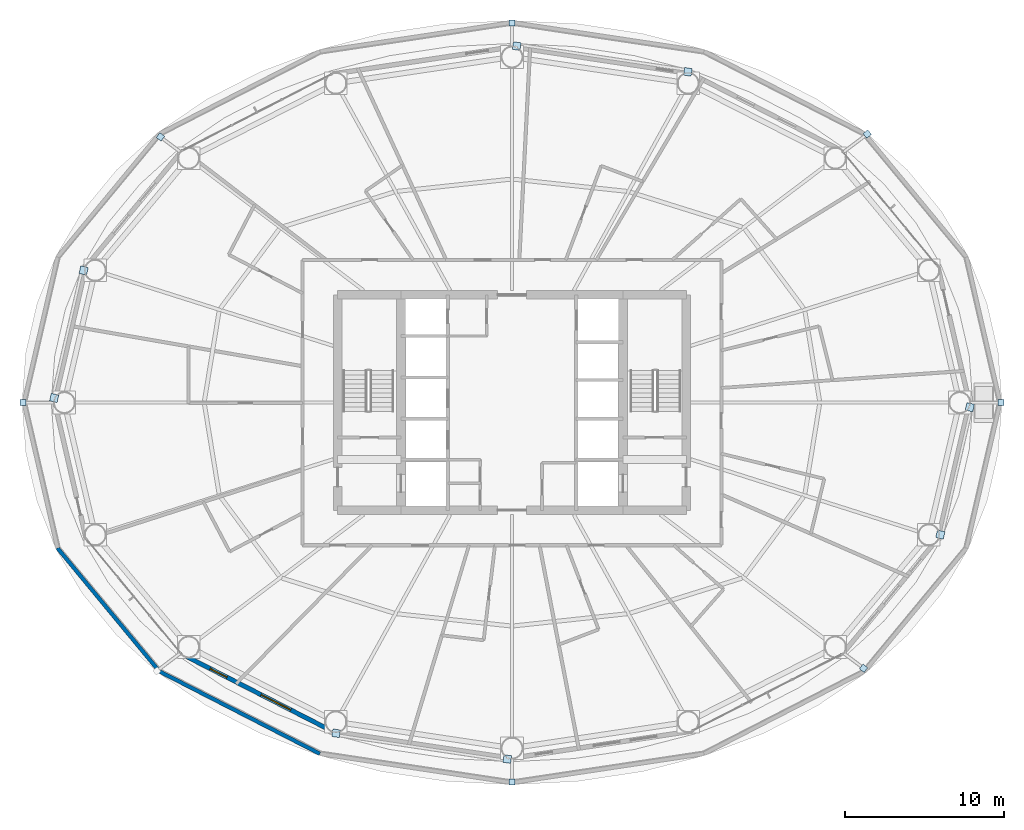
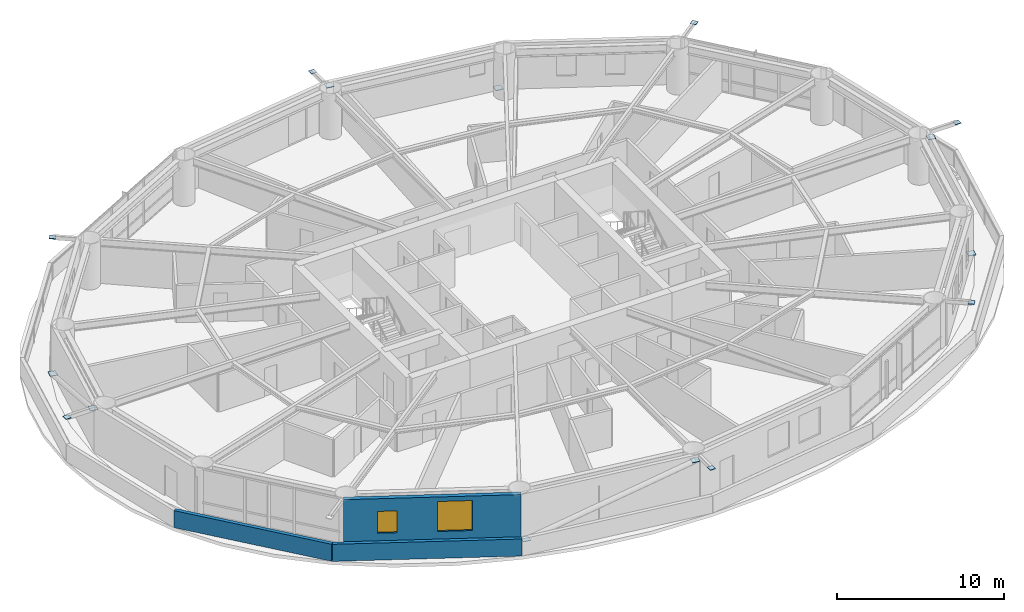
# One storey, part 18 of 25: 15 plates, 3 walls, 2 windows, 2 openings.
"""IFC4 building model written with IfcOpenShell, lengths in metres."""

from ifc_helpers import new_model, si_unit, direction, frame, frame_2d, origin, origin_2d, place, context, subcontext, project, spatial, rectangle, extrude, material, layer, layer_set, type_object, element, fill, save


model = new_model("IFC4")

# Units and contexts
model_context = context("Model", 3, precision=1e-05, world=origin(), true_north=direction((0.0, 1.0)))
body_context = subcontext(model_context, "Body", "Model", "MODEL_VIEW")
ifc_project = project(units=[si_unit("LENGTHUNIT", "METRE"), si_unit("AREAUNIT", "SQUARE_METRE"), si_unit("VOLUMEUNIT", "CUBIC_METRE"), si_unit("PLANEANGLEUNIT", "RADIAN"), si_unit("MASSUNIT", "GRAM", prefix="KILO")], contexts=[model_context])

# Site, building, storey
site_placement = place(None, origin())
site = spatial("IfcSite", under=ifc_project, at=site_placement, CompositionType="ELEMENT")
building_placement = place(site_placement, origin())
building = spatial("IfcBuilding", under=site, at=building_placement, Name="Sarneth Arch Tower", CompositionType="ELEMENT")
storey_placement = place(building_placement, frame((0.0, 0.0, 84.0)))
storey = spatial("IfcBuildingStorey", under=building, at=storey_placement, Name="L20", CompositionType="ELEMENT", Elevation=84.0)

# Plates
ifc_material_1 = material(Name="Steel S355", Category="steel")
ifc_layer_1 = layer(ifc_material_1, 0.035888671875)
ifc_layer_set_1 = layer_set([ifc_layer_1], Name="Steel S355")
plate_type = type_object("IfcPlateType", Name="PLT-GUSSET-30", PredefinedType="SHEET", material=ifc_layer_set_1)
for number, where, z_axis, x_axis, name in (
    (1, (78.8447265625, 42.0, 3.2021484375), (0.0, 0.0, 1.0), (1.0, 0.0, 0.0), "Steel end cap plate GP-1"),
    (2, (70.40869140625, 58.934814453125, 3.2021484375), (0.0, 0.0, 1.0), (0.797794439539, 0.602929541689, 0.0), "Steel end cap plate GP-1"),
):
    element("IfcPlate", number, at=place(storey_placement, frame(where, z_axis=z_axis, x_axis=x_axis)), inside=storey, type_object=plate_type, Name=name, PredefinedType="SHEET", context=body_context, shape_type="SweptSolid", body=[
        extrude(rectangle(XDim=0.3798828125, YDim=0.3798828125, at=origin_2d()), origin(), (0.0, 0.0, 1.0), 0.035888671875),
    ])
for number, where, z_axis, x_axis, name in (
    (3, (59.0927734375, 62.859619140625, 0.001953125), (0.0, 0.0, 1.0), (-0.988860535448, 0.148845024885, 0.0), "Steel end cap plate GP-1"),
    (4, (48.296630859375, 64.4853515625, 2.99560546875), (0.0, 0.0, 1.0), (-0.988860535448, 0.148845024885, 0.0), "Steel end cap plate GP-1"),
):
    element("IfcPlate", number, at=place(storey_placement, frame(where, z_axis=z_axis, x_axis=x_axis)), inside=storey, type_object=plate_type, Name=name, PredefinedType="SHEET", context=body_context, shape_type="SweptSolid", body=[
        extrude(rectangle(XDim=0.486083984375, YDim=0.486083984375, at=origin_2d()), origin(), (0.0, 0.0, 1.0), 0.035888671875),
    ])
for number, where, z_axis, x_axis, name in (
    (5, (48.0, 65.94189453125, 3.2021484375), (0.0, 0.0, 1.0), (0.0, 1.0, 0.0), "Steel end cap plate GP-1"),
    (6, (25.82373046875, 58.759033203125, 3.2021484375), (0.0, 0.0, 1.0), (-0.797794439539, 0.602929541689, 0.0), "Steel end cap plate GP-1"),
):
    element("IfcPlate", number, at=place(storey_placement, frame(where, z_axis=z_axis, x_axis=x_axis)), inside=storey, type_object=plate_type, Name=name, PredefinedType="SHEET", context=body_context, shape_type="SweptSolid", body=[
        extrude(rectangle(XDim=0.3798828125, YDim=0.3798828125, at=origin_2d()), origin(), (0.0, 0.0, 1.0), 0.035888671875),
    ])
for number, where, z_axis, x_axis, name in (
    (7, (20.98046875, 50.32958984375, 0.001953125), (0.0, 0.0, 1.0), (-0.225291159947, -0.974291482694, 0.0), "Steel end cap plate GP-1"),
    (8, (19.121337890625, 42.292236328125, 2.99560546875), (0.0, 0.0, 1.0), (-0.225291159947, -0.974291482694, 0.0), "Steel end cap plate GP-1"),
):
    element("IfcPlate", number, at=place(storey_placement, frame(where, z_axis=z_axis, x_axis=x_axis)), inside=storey, type_object=plate_type, Name=name, PredefinedType="SHEET", context=body_context, shape_type="SweptSolid", body=[
        extrude(rectangle(XDim=0.486083984375, YDim=0.486083984375, at=origin_2d()), origin(), (0.0, 0.0, 1.0), 0.035888671875),
    ])
plate_placement = place(storey_placement, frame((17.1552734375, 42.0, 3.2021484375), z_axis=(0.0, 0.0, 1.0), x_axis=(-1.0, 0.0, 0.0)))
element("IfcPlate", 9, at=plate_placement, inside=storey, type_object=plate_type, Name="Steel end cap plate GP-1", PredefinedType="SHEET", context=body_context, shape_type="SweptSolid", body=[
    extrude(rectangle(XDim=0.3798828125, YDim=0.3798828125, at=origin_2d()), origin(), (0.0, 0.0, 1.0), 0.035888671875),
])
for number, where, z_axis, x_axis, name in (
    (10, (36.9072265625, 21.140380859375, 0.001953125), (0.0, 0.0, 1.0), (0.988860535448, -0.148845024885, 0.0), "Steel end cap plate GP-1"),
    (11, (47.703369140625, 19.5146484375, 2.99560546875), (0.0, 0.0, 1.0), (0.988860535448, -0.148845024885, 0.0), "Steel end cap plate GP-1"),
):
    element("IfcPlate", number, at=place(storey_placement, frame(where, z_axis=z_axis, x_axis=x_axis)), inside=storey, type_object=plate_type, Name=name, PredefinedType="SHEET", context=body_context, shape_type="SweptSolid", body=[
        extrude(rectangle(XDim=0.486083984375, YDim=0.486083984375, at=origin_2d()), origin(), (0.0, 0.0, 1.0), 0.035888671875),
    ])
for number, where, z_axis, x_axis, name in (
    (12, (48.0, 18.05810546875, 3.2021484375), (0.0, 0.0, 1.0), (0.0, -1.0, 0.0), "Steel end cap plate GP-1"),
    (13, (70.17626953125, 25.240966796875, 3.2021484375), (0.0, 0.0, 1.0), (0.797794439539, -0.602929541689, 0.0), "Steel end cap plate GP-1"),
):
    element("IfcPlate", number, at=place(storey_placement, frame(where, z_axis=z_axis, x_axis=x_axis)), inside=storey, type_object=plate_type, Name=name, PredefinedType="SHEET", context=body_context, shape_type="SweptSolid", body=[
        extrude(rectangle(XDim=0.3798828125, YDim=0.3798828125, at=origin_2d()), origin(), (0.0, 0.0, 1.0), 0.035888671875),
    ])
for number, where, z_axis, x_axis, name in (
    (14, (75.01953125, 33.67041015625, 0.001953125), (0.0, 0.0, 1.0), (0.225291159947, 0.974291482694, 0.0), "Steel end cap plate GP-1"),
    (15, (76.878662109375, 41.707763671875, 2.99560546875), (0.0, 0.0, 1.0), (0.225291159947, 0.974291482694, 0.0), "Steel end cap plate GP-1"),
):
    element("IfcPlate", number, at=place(storey_placement, frame(where, z_axis=z_axis, x_axis=x_axis)), inside=storey, type_object=plate_type, Name=name, PredefinedType="SHEET", context=body_context, shape_type="SweptSolid", body=[
        extrude(rectangle(XDim=0.486083984375, YDim=0.486083984375, at=origin_2d()), origin(), (0.0, 0.0, 1.0), 0.035888671875),
    ])

# Wall, openings, windows
ifc_material_2 = material(Name="Extruded terracotta rainscreen on Concrete C40/50 backing", Category="masonry")
ifc_layer_2 = layer(ifc_material_2, 0.280029296875)
ifc_layer_set_2 = layer_set([ifc_layer_2], Name="Extruded terracotta rainscreen on Concrete C40/50 backing")
wall_type_1 = type_object("IfcWallType", Name="WALL-EXT-TERRA-280", PredefinedType="SOLIDWALL", material=ifc_layer_set_2)
wall_1_placement = place(storey_placement, frame((27.159912109375, 26.1396484375, 0.0), z_axis=(0.0, 0.0, 1.0), x_axis=(0.889959505023, -0.45603955905, 0.0)))
wall_1 = element("IfcWall", 16, at=wall_1_placement, inside=storey, type_object=wall_type_1, Name="L20 Terracotta perimeter wall 11", PredefinedType="SOLIDWALL", context=body_context, shape_type="SweptSolid", body=[
    extrude(rectangle(XDim=10.662109375, YDim=0.280029296875, at=frame_2d((5.3310546875, 0.0))), origin(), (0.0, 0.0, 1.0), 3.3798828125),
])
opening_1_placement = place(wall_1_placement, frame((2.0244140625, 0.0, 0.85009765625)))
opening_1 = element("IfcOpeningElement", 17, at=opening_1_placement, cuts=wall_1, Name="Opening W-10", PredefinedType="OPENING", context=body_context, shape_type="SweptSolid", body=[
    extrude(rectangle(XDim=1.199951171875, YDim=1.60009765625, at=frame_2d((0.60009765625, 0.800048828125))), frame((0.0, 0.14990234375, 0.0), z_axis=(0.0, -1.0, 0.0), x_axis=(1.0, 0.0, 0.0)), (0.0, 0.0, 1.0), 0.300048828125),
])
opening_2_placement = place(wall_1_placement, frame((5.634521484375, 0.0, 0.85009765625)))
opening_2 = element("IfcOpeningElement", 18, at=opening_2_placement, cuts=wall_1, Name="Opening W-03", PredefinedType="OPENING", context=body_context, shape_type="SweptSolid", body=[
    extrude(rectangle(XDim=2.10009765625, YDim=2.199951171875, at=frame_2d((1.050048828125, 1.10009765625))), frame((0.0, 0.14990234375, 0.0), z_axis=(0.0, -1.0, 0.0), x_axis=(1.0, 0.0, 0.0)), (0.0, 0.0, 1.0), 0.300048828125),
])
ifc_material_3 = material(Name="Thermally broken Aluminium 6063-T6 and low-e laminated IGU", Category="aluminium")
window_type_1 = type_object("IfcWindowType", Name="WIN-TWR-1200x1600", PartitioningType="SINGLE_PANEL", PredefinedType="WINDOW", material=ifc_material_3)
window_1_placement = place(opening_1_placement, origin())
window_1 = element("IfcWindow", 19, at=window_1_placement, inside=storey, type_object=window_type_1, Name="L20 Exterior window 11A", OverallHeight=1.60009765625, OverallWidth=1.199951171875, PartitioningType="SINGLE_PANEL", PredefinedType="WINDOW", context=body_context, shape_type="SweptSolid", body=[
    extrude(rectangle(XDim=1.199951171875, YDim=1.60009765625, at=frame_2d((0.60009765625, 0.800048828125))), frame((0.0, 0.030029296875, 0.0), z_axis=(0.0, -1.0, 0.0), x_axis=(1.0, 0.0, 0.0)), (0.0, 0.0, 1.0), 0.06005859375),
])
fill(opening_1, window_1)
ifc_material_4 = material(Name="Thermally broken Aluminium 6063-T6 and low-e laminated IGU", Category="aluminium")
window_type_2 = type_object("IfcWindowType", Name="WIN-TWR-2100x2200", PartitioningType="DOUBLE_PANEL_VERTICAL", PredefinedType="WINDOW", material=ifc_material_4)
window_2_placement = place(opening_2_placement, origin())
window_2 = element("IfcWindow", 20, at=window_2_placement, inside=storey, type_object=window_type_2, Name="L20 Exterior window 11B", OverallHeight=2.199951171875, OverallWidth=2.10009765625, PartitioningType="SINGLE_PANEL", PredefinedType="WINDOW", context=body_context, shape_type="SweptSolid", body=[
    extrude(rectangle(XDim=2.10009765625, YDim=2.199951171875, at=frame_2d((1.050048828125, 1.10009765625))), frame((0.0, 0.030029296875, 0.0), z_axis=(0.0, -1.0, 0.0), x_axis=(1.0, 0.0, 0.0)), (0.0, 0.0, 1.0), 0.06005859375),
])
fill(opening_2, window_2)

# Walls
ifc_material_5 = material(Name="Extruded terracotta rainscreen on Concrete C40/50 backing", Category="masonry")
ifc_layer_3 = layer(ifc_material_5, 0.239990234375)
ifc_layer_set_3 = layer_set([ifc_layer_3], Name="Extruded terracotta rainscreen on Concrete C40/50 backing")
wall_type_2 = type_object("IfcWallType", Name="WALL-PARAPET-240", PredefinedType="PARAPET", material=ifc_layer_set_3)
wall_2_placement = place(storey_placement, frame((19.32861328125, 32.8232421875, 0.0), z_axis=(0.0, 0.0, 1.0), x_axis=(0.636906456166, -0.770941091196, 0.0)))
element("IfcWall", 21, at=wall_2_placement, inside=storey, type_object=wall_type_2, Name="L20 Setback roof parapet 10", PredefinedType="PARAPET", context=body_context, shape_type="SweptSolid", body=[
    extrude(rectangle(XDim=10.091064453125, YDim=0.239990234375, at=frame_2d((5.04541015625, 0.0))), origin(), (0.0, 0.0, 1.0), 1.25),
])
wall_3_placement = place(storey_placement, frame((25.755615234375, 25.043701171875, 0.0), z_axis=(0.0, 0.0, 1.0), x_axis=(0.889663800129, -0.456616165658, 0.0)))
element("IfcWall", 22, at=wall_3_placement, inside=storey, type_object=wall_type_2, Name="L20 Setback roof parapet 11", PredefinedType="PARAPET", context=body_context, shape_type="SweptSolid", body=[
    extrude(rectangle(XDim=11.38427734375, YDim=0.239990234375, at=frame_2d((5.692138671875, 0.0))), origin(), (0.0, 0.0, 1.0), 1.25),
])

save(model, "model.ifc")
